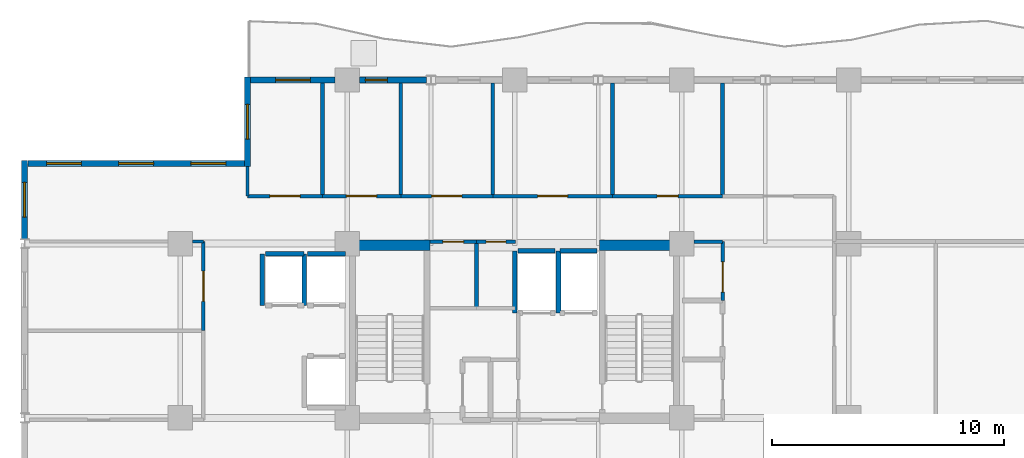
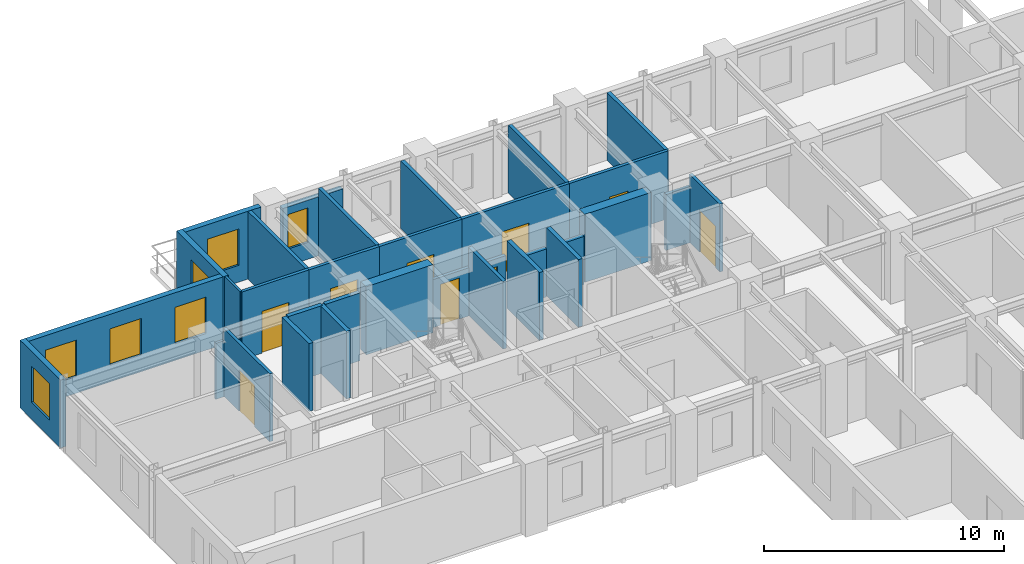
# One storey, part 8 of 13: 33 walls, 9 doors, 7 windows, 16 openings.
"""IFC4 building model written with IfcOpenShell, lengths in metres."""

from ifc_helpers import new_model, si_unit, direction, frame, frame_2d, origin, place, context, subcontext, project, spatial, rectangle, extrude, material, layer, layer_set, type_object, element, fill, save


model = new_model("IFC4")

# Units and contexts
model_context = context("Model", 3, precision=1e-05, world=origin(), true_north=direction((0.0, 1.0)))
body_context = subcontext(model_context, "Body", "Model", "MODEL_VIEW")
ifc_project = project(units=[si_unit("LENGTHUNIT", "METRE"), si_unit("AREAUNIT", "SQUARE_METRE"), si_unit("VOLUMEUNIT", "CUBIC_METRE"), si_unit("PLANEANGLEUNIT", "RADIAN"), si_unit("MASSUNIT", "GRAM", prefix="KILO")], contexts=[model_context])

# Site, building, storey
site_placement = place(None, origin())
site = spatial("IfcSite", under=ifc_project, at=site_placement, CompositionType="ELEMENT")
building_placement = place(site_placement, origin())
building = spatial("IfcBuilding", under=site, at=building_placement, Name="Kaliganga Portal Commons", CompositionType="ELEMENT")
storey_placement = place(building_placement, frame((0.0, 0.0, 166.10009765625)))
storey = spatial("IfcBuildingStorey", under=building, at=storey_placement, Name="L42", CompositionType="ELEMENT", Elevation=166.10009765625)

# Walls
ifc_material_1 = material(Name="Concrete C60/75", Category="concrete")
ifc_layer_1 = layer(ifc_material_1, 0.449951171875)
ifc_layer_set_1 = layer_set([ifc_layer_1], Name="Concrete C60/75")
wall_type_1 = type_object("IfcWallType", Name="WL-CORE-450", PredefinedType="SHEAR", material=ifc_layer_set_1)
for number, where, z_axis, x_axis, name in (
    (1, (14.75, 36.074951171875, 0.0), (0.0, 0.0, 1.0), (1.0, 0.0, 0.0), "Core A N-West Shear Wall L42"),
    (2, (25.25, 36.074951171875, 0.0), (0.0, 0.0, 1.0), (1.0, 0.0, 0.0), "Core A N-East Shear Wall L42"),
):
    element("IfcWall", number, at=place(storey_placement, frame(where, z_axis=z_axis, x_axis=x_axis)), inside=storey, type_object=wall_type_1, Name=name, PredefinedType="SHEAR", context=body_context, shape_type="SweptSolid", body=[
        extrude(rectangle(XDim=3.199951171875, YDim=0.449951171875, at=frame_2d((1.60009765625, 0.0))), origin(), (0.0, 0.0, 1.0), 3.4599609375),
    ])

# Wall, opening, window
ifc_material_2 = material(Name="Insulated Aluminium-Clad Spandrel Assembly", Category="aluminium")
ifc_layer_2 = layer(ifc_material_2, 0.260009765625)
ifc_layer_set_2 = layer_set([ifc_layer_2], Name="Insulated Aluminium-Clad Spandrel Assembly")
wall_type_2 = type_object("IfcWallType", Name="WL-EXT-SPAND-260", PredefinedType="STANDARD", material=ifc_layer_set_2)
wall_1_placement = place(storey_placement, frame((14.926025390625, 43.199951171875, 0.0), z_axis=(0.0, 0.0, 1.0), x_axis=(1.0, 0.0, 0.0)))
wall_1 = element("IfcWall", 3, at=wall_1_placement, inside=storey, type_object=wall_type_2, Name="Exterior Envelope Wall L42 P1-E06-S7", PredefinedType="STANDARD", context=body_context, shape_type="SweptSolid", body=[
    extrude(rectangle(XDim=2.87109375, YDim=0.260009765625, at=frame_2d((1.435546875, 0.0))), origin(), (0.0, 0.0, 1.0), 2.989990234375),
])
opening_1_placement = place(wall_1_placement, frame((0.24853515625, 0.0, 0.85009765625)))
opening_1 = element("IfcOpeningElement", 4, at=opening_1_placement, cuts=wall_1, Name="Opening W-04", PredefinedType="OPENING", context=body_context, shape_type="SweptSolid", body=[
    extrude(rectangle(XDim=0.949951171875, YDim=1.75, at=frame_2d((0.47509765625, 0.875))), frame((0.0, 0.14013671875, 0.0), z_axis=(0.0, -1.0, 0.0), x_axis=(1.0, 0.0, 0.0)), (0.0, 0.0, 1.0), 0.280029296875),
])
ifc_material_3 = material(Name="Thermally Broken Aluminium and Low-E Double Glazing", Category="aluminium")
window_type_1 = type_object("IfcWindowType", Name="WIN-NARROW-950", PartitioningType="SINGLE_PANEL", PredefinedType="WINDOW", material=ifc_material_3)
window_1_placement = place(opening_1_placement, origin())
window_1 = element("IfcWindow", 5, at=window_1_placement, inside=storey, type_object=window_type_1, Name="Facade Window L42-P1E06S7-N1", OverallHeight=1.75, OverallWidth=0.949951171875, PartitioningType="SINGLE_PANEL", PredefinedType="WINDOW", context=body_context, shape_type="SweptSolid", body=[
    extrude(rectangle(XDim=0.949951171875, YDim=1.75, at=frame_2d((0.47509765625, 0.875))), frame((0.0, 0.030029296875, 0.0), z_axis=(0.0, -1.0, 0.0), x_axis=(1.0, 0.0, 0.0)), (0.0, 0.0, 1.0), 0.06005859375),
])
fill(opening_1, window_1)

wall_2_placement = place(storey_placement, frame((10.235107421875, 43.199951171875, 0.0), z_axis=(0.0, 0.0, 1.0), x_axis=(1.0, 0.0, 0.0)))
wall_2 = element("IfcWall", 6, at=wall_2_placement, inside=storey, type_object=wall_type_2, Name="Exterior Envelope Wall L42 P1-E06-S8", PredefinedType="STANDARD", context=body_context, shape_type="SweptSolid", body=[
    extrude(rectangle(XDim=3.638916015625, YDim=0.260009765625, at=frame_2d((1.8193359375, 0.0))), origin(), (0.0, 0.0, 1.0), 3.43994140625),
])
opening_2_placement = place(wall_2_placement, frame((1.069580078125, 0.0, 0.85009765625)))
opening_2 = element("IfcOpeningElement", 7, at=opening_2_placement, cuts=wall_2, Name="Opening W-02", PredefinedType="OPENING", context=body_context, shape_type="SweptSolid", body=[
    extrude(rectangle(XDim=1.5, YDim=1.85009765625, at=frame_2d((0.75, 0.925048828125))), frame((0.0, 0.14013671875, 0.0), z_axis=(0.0, -1.0, 0.0), x_axis=(1.0, 0.0, 0.0)), (0.0, 0.0, 1.0), 0.280029296875),
])
window_type_2 = type_object("IfcWindowType", Name="WIN-STD-1500", PartitioningType="DOUBLE_PANEL_VERTICAL", PredefinedType="WINDOW", material=ifc_material_3)
window_2_placement = place(opening_2_placement, origin())
window_2 = element("IfcWindow", 8, at=window_2_placement, inside=storey, type_object=window_type_2, Name="Facade Window L42-P1E06S8-00", OverallHeight=1.85009765625, OverallWidth=1.5, PartitioningType="SINGLE_PANEL", PredefinedType="WINDOW", context=body_context, shape_type="SweptSolid", body=[
    extrude(rectangle(XDim=1.5, YDim=1.85009765625, at=frame_2d((0.75, 0.925048828125))), frame((0.0, 0.030029296875, 0.0), z_axis=(0.0, -1.0, 0.0), x_axis=(1.0, 0.0, 0.0)), (0.0, 0.0, 1.0), 0.06005859375),
])
fill(opening_2, window_2)

wall_3_placement = place(storey_placement, frame((10.10009765625, 39.469970703125, 0.0), z_axis=(0.0, 0.0, 1.0), x_axis=(0.0, 1.0, 0.0)))
wall_3 = element("IfcWall", 9, at=wall_3_placement, inside=storey, type_object=wall_type_2, Name="Exterior Envelope Wall L42 P1-E07-S1", PredefinedType="STANDARD", context=body_context, shape_type="SweptSolid", body=[
    extrude(rectangle(XDim=3.860107421875, YDim=0.260009765625, at=frame_2d((1.93017578125, 0.0))), origin(), (0.0, 0.0, 1.0), 3.43994140625),
])
opening_3_placement = place(wall_3_placement, frame((1.179931640625, 0.0, 0.85009765625)))
opening_3 = element("IfcOpeningElement", 10, at=opening_3_placement, cuts=wall_3, Name="Opening W-02", PredefinedType="OPENING", context=body_context, shape_type="SweptSolid", body=[
    extrude(rectangle(XDim=1.5, YDim=1.85009765625, at=frame_2d((0.75, 0.925048828125))), frame((0.0, 0.14013671875, 0.0), z_axis=(0.0, -1.0, 0.0), x_axis=(1.0, 0.0, 0.0)), (0.0, 0.0, 1.0), 0.280029296875),
])
window_3_placement = place(opening_3_placement, origin())
window_3 = element("IfcWindow", 11, at=window_3_placement, inside=storey, type_object=window_type_2, Name="Facade Window L42-P1E07S1-00", OverallHeight=1.85009765625, OverallWidth=1.5, PartitioningType="SINGLE_PANEL", PredefinedType="WINDOW", context=body_context, shape_type="SweptSolid", body=[
    extrude(rectangle(XDim=1.5, YDim=1.85009765625, at=frame_2d((0.75, 0.925048828125))), frame((0.0, 0.030029296875, 0.0), z_axis=(0.0, -1.0, 0.0), x_axis=(1.0, 0.0, 0.0)), (0.0, 0.0, 1.0), 0.06005859375),
])
fill(opening_3, window_3)

# Wall, openings, windows
wall_4_placement = place(storey_placement, frame((0.635009765625, 39.60009765625, 0.0), z_axis=(0.0, 0.0, 1.0), x_axis=(1.0, 0.0, 0.0)))
wall_4 = element("IfcWall", 12, at=wall_4_placement, inside=storey, type_object=wall_type_2, Name="Exterior Envelope Wall L42 P1-E08-S1", PredefinedType="STANDARD", context=body_context, shape_type="SweptSolid", body=[
    extrude(rectangle(XDim=9.330078125, YDim=0.260009765625, at=frame_2d((4.6650390625, 0.0))), origin(), (0.0, 0.0, 1.0), 3.43994140625),
])
opening_4_placement = place(wall_4_placement, frame((0.804931640625, 0.0, 0.85009765625)))
opening_4 = element("IfcOpeningElement", 13, at=opening_4_placement, cuts=wall_4, Name="Opening W-02", PredefinedType="OPENING", context=body_context, shape_type="SweptSolid", body=[
    extrude(rectangle(XDim=1.5, YDim=1.85009765625, at=frame_2d((0.75, 0.925048828125))), frame((0.0, 0.14013671875, 0.0), z_axis=(0.0, -1.0, 0.0), x_axis=(1.0, 0.0, 0.0)), (0.0, 0.0, 1.0), 0.280029296875),
])
opening_5_placement = place(wall_4_placement, frame((3.9150390625, 0.0, 0.85009765625)))
opening_5 = element("IfcOpeningElement", 14, at=opening_5_placement, cuts=wall_4, Name="Opening W-02", PredefinedType="OPENING", context=body_context, shape_type="SweptSolid", body=[
    extrude(rectangle(XDim=1.5, YDim=1.85009765625, at=frame_2d((0.75, 0.925048828125))), frame((0.0, 0.14013671875, 0.0), z_axis=(0.0, -1.0, 0.0), x_axis=(1.0, 0.0, 0.0)), (0.0, 0.0, 1.0), 0.280029296875),
])
opening_6_placement = place(wall_4_placement, frame((7.02490234375, 0.0, 0.85009765625)))
opening_6 = element("IfcOpeningElement", 15, at=opening_6_placement, cuts=wall_4, Name="Opening W-02", PredefinedType="OPENING", context=body_context, shape_type="SweptSolid", body=[
    extrude(rectangle(XDim=1.5, YDim=1.85009765625, at=frame_2d((0.75, 0.925048828125))), frame((0.0, 0.14013671875, 0.0), z_axis=(0.0, -1.0, 0.0), x_axis=(1.0, 0.0, 0.0)), (0.0, 0.0, 1.0), 0.280029296875),
])
window_4_placement = place(opening_4_placement, origin())
window_4 = element("IfcWindow", 16, at=window_4_placement, inside=storey, type_object=window_type_2, Name="Facade Window L42-P1E08S1-00", OverallHeight=1.85009765625, OverallWidth=1.5, PartitioningType="SINGLE_PANEL", PredefinedType="WINDOW", context=body_context, shape_type="SweptSolid", body=[
    extrude(rectangle(XDim=1.5, YDim=1.85009765625, at=frame_2d((0.75, 0.925048828125))), frame((0.0, 0.030029296875, 0.0), z_axis=(0.0, -1.0, 0.0), x_axis=(1.0, 0.0, 0.0)), (0.0, 0.0, 1.0), 0.06005859375),
])
fill(opening_4, window_4)
window_5_placement = place(opening_5_placement, origin())
window_5 = element("IfcWindow", 17, at=window_5_placement, inside=storey, type_object=window_type_2, Name="Facade Window L42-P1E08S1-01", OverallHeight=1.85009765625, OverallWidth=1.5, PartitioningType="SINGLE_PANEL", PredefinedType="WINDOW", context=body_context, shape_type="SweptSolid", body=[
    extrude(rectangle(XDim=1.5, YDim=1.85009765625, at=frame_2d((0.75, 0.925048828125))), frame((0.0, 0.030029296875, 0.0), z_axis=(0.0, -1.0, 0.0), x_axis=(1.0, 0.0, 0.0)), (0.0, 0.0, 1.0), 0.06005859375),
])
fill(opening_5, window_5)
window_6_placement = place(opening_6_placement, origin())
window_6 = element("IfcWindow", 18, at=window_6_placement, inside=storey, type_object=window_type_2, Name="Facade Window L42-P1E08S1-02", OverallHeight=1.85009765625, OverallWidth=1.5, PartitioningType="SINGLE_PANEL", PredefinedType="WINDOW", context=body_context, shape_type="SweptSolid", body=[
    extrude(rectangle(XDim=1.5, YDim=1.85009765625, at=frame_2d((0.75, 0.925048828125))), frame((0.0, 0.030029296875, 0.0), z_axis=(0.0, -1.0, 0.0), x_axis=(1.0, 0.0, 0.0)), (0.0, 0.0, 1.0), 0.06005859375),
])
fill(opening_6, window_6)

# Wall, opening, window
wall_5_placement = place(storey_placement, frame((0.5, 36.35791015625, 0.0), z_axis=(0.0, 0.0, 1.0), x_axis=(0.0, 1.0, 0.0)))
wall_5 = element("IfcWall", 19, at=wall_5_placement, inside=storey, type_object=wall_type_2, Name="Exterior Envelope Wall L42 P1-E09-S1", PredefinedType="STANDARD", context=body_context, shape_type="SweptSolid", body=[
    extrude(rectangle(XDim=3.3720703125, YDim=0.260009765625, at=frame_2d((1.68603515625, 0.0))), origin(), (0.0, 0.0, 1.0), 3.43994140625),
])
opening_7_placement = place(wall_5_placement, frame((0.93603515625, 0.0, 0.85009765625)))
opening_7 = element("IfcOpeningElement", 20, at=opening_7_placement, cuts=wall_5, Name="Opening W-02", PredefinedType="OPENING", context=body_context, shape_type="SweptSolid", body=[
    extrude(rectangle(XDim=1.5, YDim=1.85009765625, at=frame_2d((0.75, 0.925048828125))), frame((0.0, 0.14013671875, 0.0), z_axis=(0.0, -1.0, 0.0), x_axis=(1.0, 0.0, 0.0)), (0.0, 0.0, 1.0), 0.280029296875),
])
window_7_placement = place(opening_7_placement, origin())
window_7 = element("IfcWindow", 21, at=window_7_placement, inside=storey, type_object=window_type_2, Name="Facade Window L42-P1E09S1-00", OverallHeight=1.85009765625, OverallWidth=1.5, PartitioningType="SINGLE_PANEL", PredefinedType="WINDOW", context=body_context, shape_type="SweptSolid", body=[
    extrude(rectangle(XDim=1.5, YDim=1.85009765625, at=frame_2d((0.75, 0.925048828125))), frame((0.0, 0.030029296875, 0.0), z_axis=(0.0, -1.0, 0.0), x_axis=(1.0, 0.0, 0.0)), (0.0, 0.0, 1.0), 0.06005859375),
])
fill(opening_7, window_7)

# Wall, opening, door
ifc_material_4 = material(Name="Fire-Rated Gypsum Board on Steel Stud", Category="steel")
ifc_layer_3 = layer(ifc_material_4, 0.14990234375)
ifc_layer_set_3 = layer_set([ifc_layer_3], Name="Fire-Rated Gypsum Board on Steel Stud")
wall_type_3 = type_object("IfcWallType", Name="WL-PART-CORR-150", PredefinedType="PARTITIONING", material=ifc_layer_set_3)
wall_6_placement = place(storey_placement, frame((20.659912109375, 38.199951171875, 0.0), z_axis=(0.0, 0.0, 1.0), x_axis=(1.0, 0.0, 0.0)))
wall_6 = element("IfcWall", 22, at=wall_6_placement, inside=storey, type_object=wall_type_3, Name="Interior Partition L42-019", PredefinedType="PARTITIONING", context=body_context, shape_type="SweptSolid", body=[
    extrude(rectangle(XDim=5.16015625, YDim=0.14990234375, at=frame_2d((2.580078125, 0.0))), origin(), (0.0, 0.0, 1.0), 3.43994140625),
])
opening_8_placement = place(wall_6_placement, frame((1.929931640625, 0.0, 0.0)))
opening_8 = element("IfcOpeningElement", 23, at=opening_8_placement, cuts=wall_6, Name="Opening RD-03", PredefinedType="OPENING", context=body_context, shape_type="SweptSolid", body=[
    extrude(rectangle(XDim=1.300048828125, YDim=2.1201171875, at=frame_2d((0.64990234375, 1.06005859375))), frame((0.0, 0.0849609375, 0.0), z_axis=(0.0, -1.0, 0.0), x_axis=(1.0, 0.0, 0.0)), (0.0, 0.0, 1.0), 0.169921875),
])
ifc_material_5 = material(Name="Glazed Timber Seminar Vision Door", Category="wood")
door_type_1 = type_object("IfcDoorType", Name="DR-STUDY-1300", OperationType="DOUBLE_DOOR_SINGLE_SWING", PredefinedType="DOOR", material=ifc_material_5)
door_1_placement = place(opening_8_placement, origin())
door_1 = element("IfcDoor", 24, at=door_1_placement, inside=storey, type_object=door_type_1, Name="Interior Door L42-AN04", OperationType="DOUBLE_DOOR_SINGLE_SWING", OverallHeight=2.1201171875, OverallWidth=1.300048828125, PredefinedType="DOOR", context=body_context, shape_type="SweptSolid", body=[
    extrude(rectangle(XDim=1.300048828125, YDim=2.1201171875, at=frame_2d((0.64990234375, 1.06005859375))), frame((0.0, 0.02490234375, 0.0), z_axis=(0.0, -1.0, 0.0), x_axis=(1.0, 0.0, 0.0)), (0.0, 0.0, 1.0), 0.050048828125),
])
fill(opening_8, door_1)

wall_7_placement = place(storey_placement, frame((25.820068359375, 38.199951171875, 0.0), z_axis=(0.0, 0.0, 1.0), x_axis=(1.0, 0.0, 0.0)))
wall_7 = element("IfcWall", 25, at=wall_7_placement, inside=storey, type_object=wall_type_3, Name="Interior Partition L42-023", PredefinedType="PARTITIONING", context=body_context, shape_type="SweptSolid", body=[
    extrude(rectangle(XDim=4.739990234375, YDim=0.14990234375, at=frame_2d((2.3701171875, 0.0))), origin(), (0.0, 0.0, 1.0), 3.43994140625),
])
opening_9_placement = place(wall_7_placement, frame((1.919921875, 0.0, 0.0)))
opening_9 = element("IfcOpeningElement", 26, at=opening_9_placement, cuts=wall_7, Name="Opening RD-01", PredefinedType="OPENING", context=body_context, shape_type="SweptSolid", body=[
    extrude(rectangle(XDim=0.89990234375, YDim=2.080078125, at=frame_2d((0.449951171875, 1.0400390625))), frame((0.0, 0.0849609375, 0.0), z_axis=(0.0, -1.0, 0.0), x_axis=(1.0, 0.0, 0.0)), (0.0, 0.0, 1.0), 0.169921875),
])
ifc_material_6 = material(Name="Engineered Timber Flush Door", Category="wood")
door_type_2 = type_object("IfcDoorType", Name="DR-ROOM-900", OperationType="NOTDEFINED", PredefinedType="DOOR", material=ifc_material_6)
door_2_placement = place(opening_9_placement, origin())
door_2 = element("IfcDoor", 27, at=door_2_placement, inside=storey, type_object=door_type_2, Name="Interior Door L42-AN05", OperationType="SINGLE_SWING_RIGHT", OverallHeight=2.080078125, OverallWidth=0.89990234375, PredefinedType="DOOR", context=body_context, shape_type="SweptSolid", body=[
    extrude(rectangle(XDim=0.89990234375, YDim=2.080078125, at=frame_2d((0.449951171875, 1.0400390625))), frame((0.0, 0.02490234375, 0.0), z_axis=(0.0, -1.0, 0.0), x_axis=(1.0, 0.0, 0.0)), (0.0, 0.0, 1.0), 0.050048828125),
])
fill(opening_9, door_2)

wall_8_placement = place(storey_placement, frame((16.699951171875, 38.199951171875, 0.0), z_axis=(0.0, 0.0, 1.0), x_axis=(1.0, 0.0, 0.0)))
wall_8 = element("IfcWall", 28, at=wall_8_placement, inside=storey, type_object=wall_type_3, Name="Interior Partition L42-029", PredefinedType="PARTITIONING", context=body_context, shape_type="SweptSolid", body=[
    extrude(rectangle(XDim=3.9599609375, YDim=0.14990234375, at=frame_2d((1.97998046875, 0.0))), origin(), (0.0, 0.0, 1.0), 3.43994140625),
])
opening_10_placement = place(wall_8_placement, frame((1.330078125, 0.0, 0.0)))
opening_10 = element("IfcOpeningElement", 29, at=opening_10_placement, cuts=wall_8, Name="Opening RD-03", PredefinedType="OPENING", context=body_context, shape_type="SweptSolid", body=[
    extrude(rectangle(XDim=1.300048828125, YDim=2.1201171875, at=frame_2d((0.64990234375, 1.06005859375))), frame((0.0, 0.0849609375, 0.0), z_axis=(0.0, -1.0, 0.0), x_axis=(1.0, 0.0, 0.0)), (0.0, 0.0, 1.0), 0.169921875),
])
door_3_placement = place(opening_10_placement, origin())
door_3 = element("IfcDoor", 30, at=door_3_placement, inside=storey, type_object=door_type_1, Name="Interior Door L42-AN03", OperationType="DOUBLE_DOOR_SINGLE_SWING", OverallHeight=2.1201171875, OverallWidth=1.300048828125, PredefinedType="DOOR", context=body_context, shape_type="SweptSolid", body=[
    extrude(rectangle(XDim=1.300048828125, YDim=2.1201171875, at=frame_2d((0.64990234375, 1.06005859375))), frame((0.0, 0.02490234375, 0.0), z_axis=(0.0, -1.0, 0.0), x_axis=(1.0, 0.0, 0.0)), (0.0, 0.0, 1.0), 0.050048828125),
])
fill(opening_10, door_3)

wall_9_placement = place(storey_placement, frame((8.199951171875, 32.39990234375, 0.0), z_axis=(0.0, 0.0, 1.0), x_axis=(0.0, 1.0, 0.0)))
wall_9 = element("IfcWall", 31, at=wall_9_placement, inside=storey, type_object=wall_type_3, Name="Interior Partition L42-032", PredefinedType="PARTITIONING", context=body_context, shape_type="SweptSolid", body=[
    extrude(rectangle(XDim=3.840087890625, YDim=0.14990234375, at=frame_2d((1.919921875, 0.0))), origin(), (0.0, 0.0, 1.0), 3.43994140625),
])
opening_11_placement = place(wall_9_placement, frame((1.27001953125, 0.0, 0.0)))
opening_11 = element("IfcOpeningElement", 32, at=opening_11_placement, cuts=wall_9, Name="Opening RD-03", PredefinedType="OPENING", context=body_context, shape_type="SweptSolid", body=[
    extrude(rectangle(XDim=1.300048828125, YDim=2.1201171875, at=frame_2d((0.64990234375, 1.06005859375))), frame((0.0, 0.0849609375, 0.0), z_axis=(0.0, -1.0, 0.0), x_axis=(1.0, 0.0, 0.0)), (0.0, 0.0, 1.0), 0.169921875),
])
door_4_placement = place(opening_11_placement, origin())
door_4 = element("IfcDoor", 33, at=door_4_placement, inside=storey, type_object=door_type_1, Name="Interior Door L42-AW02", OperationType="DOUBLE_DOOR_SINGLE_SWING", OverallHeight=2.1201171875, OverallWidth=1.300048828125, PredefinedType="DOOR", context=body_context, shape_type="SweptSolid", body=[
    extrude(rectangle(XDim=1.300048828125, YDim=2.1201171875, at=frame_2d((0.64990234375, 1.06005859375))), frame((0.0, 0.02490234375, 0.0), z_axis=(0.0, -1.0, 0.0), x_axis=(1.0, 0.0, 0.0)), (0.0, 0.0, 1.0), 0.050048828125),
])
fill(opening_11, door_4)

wall_10_placement = place(storey_placement, frame((13.320068359375, 38.199951171875, 0.0), z_axis=(0.0, 0.0, 1.0), x_axis=(1.0, 0.0, 0.0)))
wall_10 = element("IfcWall", 34, at=wall_10_placement, inside=storey, type_object=wall_type_3, Name="Interior Partition L42-035", PredefinedType="PARTITIONING", context=body_context, shape_type="SweptSolid", body=[
    extrude(rectangle(XDim=3.3798828125, YDim=0.14990234375, at=frame_2d((1.68994140625, 0.0))), origin(), (0.0, 0.0, 1.0), 3.43994140625),
])
opening_12_placement = place(wall_10_placement, frame((1.0400390625, 0.0, 0.0)))
opening_12 = element("IfcOpeningElement", 35, at=opening_12_placement, cuts=wall_10, Name="Opening RD-03", PredefinedType="OPENING", context=body_context, shape_type="SweptSolid", body=[
    extrude(rectangle(XDim=1.300048828125, YDim=2.1201171875, at=frame_2d((0.64990234375, 1.06005859375))), frame((0.0, 0.0849609375, 0.0), z_axis=(0.0, -1.0, 0.0), x_axis=(1.0, 0.0, 0.0)), (0.0, 0.0, 1.0), 0.169921875),
])
door_5_placement = place(opening_12_placement, origin())
door_5 = element("IfcDoor", 36, at=door_5_placement, inside=storey, type_object=door_type_1, Name="Interior Door L42-AN02", OperationType="DOUBLE_DOOR_SINGLE_SWING", OverallHeight=2.1201171875, OverallWidth=1.300048828125, PredefinedType="DOOR", context=body_context, shape_type="SweptSolid", body=[
    extrude(rectangle(XDim=1.300048828125, YDim=2.1201171875, at=frame_2d((0.64990234375, 1.06005859375))), frame((0.0, 0.02490234375, 0.0), z_axis=(0.0, -1.0, 0.0), x_axis=(1.0, 0.0, 0.0)), (0.0, 0.0, 1.0), 0.050048828125),
])
fill(opening_12, door_5)

wall_11_placement = place(storey_placement, frame((10.10009765625, 38.199951171875, 0.0), z_axis=(0.0, 0.0, 1.0), x_axis=(1.0, 0.0, 0.0)))
wall_11 = element("IfcWall", 37, at=wall_11_placement, inside=storey, type_object=wall_type_3, Name="Interior Partition L42-036", PredefinedType="PARTITIONING", context=body_context, shape_type="SweptSolid", body=[
    extrude(rectangle(XDim=3.219970703125, YDim=0.14990234375, at=frame_2d((1.60986328125, 0.0))), origin(), (0.0, 0.0, 1.0), 3.43994140625),
])
opening_13_placement = place(wall_11_placement, frame((0.9599609375, 0.0, 0.0)))
opening_13 = element("IfcOpeningElement", 38, at=opening_13_placement, cuts=wall_11, Name="Opening RD-03", PredefinedType="OPENING", context=body_context, shape_type="SweptSolid", body=[
    extrude(rectangle(XDim=1.300048828125, YDim=2.1201171875, at=frame_2d((0.64990234375, 1.06005859375))), frame((0.0, 0.0849609375, 0.0), z_axis=(0.0, -1.0, 0.0), x_axis=(1.0, 0.0, 0.0)), (0.0, 0.0, 1.0), 0.169921875),
])
door_6_placement = place(opening_13_placement, origin())
door_6 = element("IfcDoor", 39, at=door_6_placement, inside=storey, type_object=door_type_1, Name="Interior Door L42-AN01", OperationType="DOUBLE_DOOR_SINGLE_SWING", OverallHeight=2.1201171875, OverallWidth=1.300048828125, PredefinedType="DOOR", context=body_context, shape_type="SweptSolid", body=[
    extrude(rectangle(XDim=1.300048828125, YDim=2.1201171875, at=frame_2d((0.64990234375, 1.06005859375))), frame((0.0, 0.02490234375, 0.0), z_axis=(0.0, -1.0, 0.0), x_axis=(1.0, 0.0, 0.0)), (0.0, 0.0, 1.0), 0.050048828125),
])
fill(opening_13, door_6)

wall_12_placement = place(storey_placement, frame((30.56005859375, 33.699951171875, 0.0), z_axis=(0.0, 0.0, 1.0), x_axis=(0.0, 1.0, 0.0)))
wall_12 = element("IfcWall", 40, at=wall_12_placement, inside=storey, type_object=wall_type_3, Name="Interior Partition L42-046", PredefinedType="PARTITIONING", context=body_context, shape_type="SweptSolid", body=[
    extrude(rectangle(XDim=2.5400390625, YDim=0.14990234375, at=frame_2d((1.27001953125, 0.0))), origin(), (0.0, 0.0, 1.0), 3.43994140625),
])
opening_14_placement = place(wall_12_placement, frame((0.365966796875, 0.0, 0.0)))
opening_14 = element("IfcOpeningElement", 41, at=opening_14_placement, cuts=wall_12, Name="Opening RD-03", PredefinedType="OPENING", context=body_context, shape_type="SweptSolid", body=[
    extrude(rectangle(XDim=1.300048828125, YDim=2.1201171875, at=frame_2d((0.64990234375, 1.06005859375))), frame((0.0, 0.0849609375, 0.0), z_axis=(0.0, -1.0, 0.0), x_axis=(1.0, 0.0, 0.0)), (0.0, 0.0, 1.0), 0.169921875),
])
door_7_placement = place(opening_14_placement, origin())
door_7 = element("IfcDoor", 42, at=door_7_placement, inside=storey, type_object=door_type_1, Name="Interior Door L42-CSRV_A2", OperationType="DOUBLE_DOOR_SINGLE_SWING", OverallHeight=2.1201171875, OverallWidth=1.300048828125, PredefinedType="DOOR", context=body_context, shape_type="SweptSolid", body=[
    extrude(rectangle(XDim=1.300048828125, YDim=2.1201171875, at=frame_2d((0.64990234375, 1.06005859375))), frame((0.0, 0.02490234375, 0.0), z_axis=(0.0, -1.0, 0.0), x_axis=(1.0, 0.0, 0.0)), (0.0, 0.0, 1.0), 0.050048828125),
])
fill(opening_14, door_7)

wall_13_placement = place(storey_placement, frame((17.9599609375, 36.239990234375, 0.0), z_axis=(0.0, 0.0, 1.0), x_axis=(1.0, 0.0, 0.0)))
wall_13 = element("IfcWall", 43, at=wall_13_placement, inside=storey, type_object=wall_type_3, Name="Interior Partition L42-048", PredefinedType="PARTITIONING", context=body_context, shape_type="SweptSolid", body=[
    extrude(rectangle(XDim=2.0, YDim=0.14990234375, at=frame_2d((1.0, 0.0))), origin(), (0.0, 0.0, 1.0), 2.43994140625),
])
opening_15_placement = place(wall_13_placement, frame((0.550048828125, 0.0, 0.0)))
opening_15 = element("IfcOpeningElement", 44, at=opening_15_placement, cuts=wall_13, Name="Opening RD-01", PredefinedType="OPENING", context=body_context, shape_type="SweptSolid", body=[
    extrude(rectangle(XDim=0.89990234375, YDim=2.080078125, at=frame_2d((0.449951171875, 1.0400390625))), frame((0.0, 0.0849609375, 0.0), z_axis=(0.0, -1.0, 0.0), x_axis=(1.0, 0.0, 0.0)), (0.0, 0.0, 1.0), 0.169921875),
])
door_8_placement = place(opening_15_placement, origin())
door_8 = element("IfcDoor", 45, at=door_8_placement, inside=storey, type_object=door_type_2, Name="Interior Door L42-CREC_A1", OperationType="SINGLE_SWING_RIGHT", OverallHeight=2.080078125, OverallWidth=0.89990234375, PredefinedType="DOOR", context=body_context, shape_type="SweptSolid", body=[
    extrude(rectangle(XDim=0.89990234375, YDim=2.080078125, at=frame_2d((0.449951171875, 1.0400390625))), frame((0.0, 0.02490234375, 0.0), z_axis=(0.0, -1.0, 0.0), x_axis=(1.0, 0.0, 0.0)), (0.0, 0.0, 1.0), 0.050048828125),
])
fill(opening_15, door_8)

# Wall
wall_14_placement = place(storey_placement, frame((29.324951171875, 36.239990234375, 0.0), z_axis=(0.0, 0.0, 1.0), x_axis=(1.0, 0.0, 0.0)))
element("IfcWall", 46, at=wall_14_placement, inside=storey, type_object=wall_type_3, Name="Interior Partition L42-051", PredefinedType="PARTITIONING", context=body_context, shape_type="SweptSolid", body=[
    extrude(rectangle(XDim=1.235107421875, YDim=0.14990234375, at=frame_2d((0.61767578125, 0.0))), origin(), (0.0, 0.0, 1.0), 2.83984375),
])

# Wall, opening, door
wall_15_placement = place(storey_placement, frame((19.9599609375, 36.239990234375, 0.0), z_axis=(0.0, 0.0, 1.0), x_axis=(1.0, 0.0, 0.0)))
wall_15 = element("IfcWall", 47, at=wall_15_placement, inside=storey, type_object=wall_type_3, Name="Interior Partition L42-053", PredefinedType="PARTITIONING", context=body_context, shape_type="SweptSolid", body=[
    extrude(rectangle(XDim=1.679931640625, YDim=0.14990234375, at=frame_2d((0.83984375, 0.0))), origin(), (0.0, 0.0, 1.0), 2.43994140625),
])
opening_16_placement = place(wall_15_placement, frame((0.409912109375, 0.0, 0.0)))
opening_16 = element("IfcOpeningElement", 48, at=opening_16_placement, cuts=wall_15, Name="Opening WD-02", PredefinedType="OPENING", context=body_context, shape_type="SweptSolid", body=[
    extrude(rectangle(XDim=0.860107421875, YDim=2.02001953125, at=frame_2d((0.43017578125, 1.010009765625))), frame((0.0, 0.0849609375, 0.0), z_axis=(0.0, -1.0, 0.0), x_axis=(1.0, 0.0, 0.0)), (0.0, 0.0, 1.0), 0.169921875),
])
ifc_material_7 = material(Name="Fire-Rated Utility Closet Door", Category="wood")
door_type_3 = type_object("IfcDoorType", Name="DR-STORE-800", OperationType="NOTDEFINED", PredefinedType="DOOR", material=ifc_material_7)
door_9_placement = place(opening_16_placement, origin())
door_9 = element("IfcDoor", 49, at=door_9_placement, inside=storey, type_object=door_type_3, Name="Interior Door L42-CREC_A2", OperationType="SINGLE_SWING_LEFT", OverallHeight=2.02001953125, OverallWidth=0.860107421875, PredefinedType="DOOR", context=body_context, shape_type="SweptSolid", body=[
    extrude(rectangle(XDim=0.860107421875, YDim=2.02001953125, at=frame_2d((0.43017578125, 1.010009765625))), frame((0.0, 0.02490234375, 0.0), z_axis=(0.0, -1.0, 0.0), x_axis=(1.0, 0.0, 0.0)), (0.0, 0.0, 1.0), 0.050048828125),
])
fill(opening_16, door_9)

# Walls
ifc_material_8 = material(Name="Moisture-Resistant Gypsum Partition", Category="gypsum")
ifc_layer_4 = layer(ifc_material_8, 0.114990234375)
ifc_layer_set_4 = layer_set([ifc_layer_4], Name="Moisture-Resistant Gypsum Partition")
wall_type_4 = type_object("IfcWallType", Name="WL-PART-ROOM-115", PredefinedType="PARTITIONING", material=ifc_layer_set_4)
wall_16_placement = place(storey_placement, frame((7.72509765625, 36.239990234375, 0.0), z_axis=(0.0, 0.0, 1.0), x_axis=(1.0, 0.0, 0.0)))
element("IfcWall", 50, at=wall_16_placement, inside=storey, type_object=wall_type_4, Name="Interior Partition L42-064", PredefinedType="PARTITIONING", context=body_context, shape_type="SweptSolid", body=[
    extrude(rectangle(XDim=0.474853515625, YDim=0.114990234375, at=frame_2d((0.2373046875, 0.0))), origin(), (0.0, 0.0, 1.0), 2.83984375),
])
wall_17_placement = place(storey_placement, frame((10.10009765625, 38.199951171875, 0.0), z_axis=(0.0, 0.0, 1.0), x_axis=(0.0, 1.0, 0.0)))
element("IfcWall", 51, at=wall_17_placement, inside=storey, type_object=wall_type_4, Name="Interior Partition L42-071", PredefinedType="PARTITIONING", context=body_context, shape_type="SweptSolid", body=[
    extrude(rectangle(XDim=1.26806640625, YDim=0.114990234375, at=frame_2d((0.634033203125, 0.0))), origin(), (0.0, 0.0, 1.0), 3.43994140625),
])
ifc_material_9 = material(Name="Twin-Stud Acoustic Gypsum Partition", Category="gypsum")
ifc_layer_5 = layer(ifc_material_9, 0.1650390625)
ifc_layer_set_5 = layer_set([ifc_layer_5], Name="Twin-Stud Acoustic Gypsum Partition")
wall_type_5 = type_object("IfcWallType", Name="WL-PART-UNIT-165", PredefinedType="PARTITIONING", material=ifc_layer_set_5)
for number, where, z_axis, x_axis, name in (
    (52, (13.320068359375, 38.199951171875, 0.0), (0.0, 0.0, 1.0), (0.0, 1.0, 0.0), "Interior Partition L42-072"),
    (53, (16.699951171875, 38.199951171875, 0.0), (0.0, 0.0, 1.0), (0.0, 1.0, 0.0), "Interior Partition L42-073"),
    (54, (20.659912109375, 38.199951171875, 0.0), (0.0, 0.0, 1.0), (0.0, 1.0, 0.0), "Interior Partition L42-075"),
    (55, (25.820068359375, 38.199951171875, 0.0), (0.0, 0.0, 1.0), (0.0, 1.0, 0.0), "Interior Partition L42-076"),
    (56, (30.56005859375, 38.199951171875, 0.0), (0.0, 0.0, 1.0), (0.0, 1.0, 0.0), "Interior Partition L42-078"),
):
    element("IfcWall", number, at=place(storey_placement, frame(where, z_axis=z_axis, x_axis=x_axis)), inside=storey, type_object=wall_type_5, Name=name, PredefinedType="PARTITIONING", context=body_context, shape_type="SweptSolid", body=[
        extrude(rectangle(XDim=4.8681640625, YDim=0.1650390625, at=frame_2d((2.43408203125, 0.0))), origin(), (0.0, 0.0, 1.0), 3.43994140625),
    ])
wall_18_placement = place(storey_placement, frame((19.9599609375, 33.360107421875, 0.0), z_axis=(0.0, 0.0, 1.0), x_axis=(0.0, 1.0, 0.0)))
element("IfcWall", 57, at=wall_18_placement, inside=storey, type_object=wall_type_5, Name="Interior Partition L42-086", PredefinedType="PARTITIONING", context=body_context, shape_type="SweptSolid", body=[
    extrude(rectangle(XDim=2.8798828125, YDim=0.1650390625, at=frame_2d((1.43994140625, 0.0))), origin(), (0.0, 0.0, 1.0), 3.43994140625),
])
ifc_material_10 = material(Name="Fire-Rated Shaftwall Masonry Assembly", Category="masonry")
ifc_layer_6 = layer(ifc_material_10, 0.199951171875)
ifc_layer_set_6 = layer_set([ifc_layer_6], Name="Fire-Rated Shaftwall Masonry Assembly")
wall_type_6 = type_object("IfcWallType", Name="WL-SHAFT-200", PredefinedType="PARTITIONING", material=ifc_layer_set_6)
wall_19_placement = place(storey_placement, frame((12.675048828125, 35.715087890625, 0.0), z_axis=(0.0, 0.0, 1.0), x_axis=(1.0, 0.0, 0.0)))
element("IfcWall", 58, at=wall_19_placement, inside=storey, type_object=wall_type_6, Name="Lift PL-A3 Hoistway Shaft Wall L42-N", PredefinedType="PARTITIONING", context=body_context, shape_type="SweptSolid", body=[
    extrude(rectangle(XDim=1.64990234375, YDim=0.199951171875, at=frame_2d((0.824951171875, 0.0))), origin(), (0.0, 0.0, 1.0), 3.43994140625),
])
wall_20_placement = place(storey_placement, frame((12.534912109375, 33.485107421875, 0.0), z_axis=(0.0, 0.0, 1.0), x_axis=(0.0, 1.0, 0.0)))
element("IfcWall", 59, at=wall_20_placement, inside=storey, type_object=wall_type_6, Name="Lift PL-A3 Hoistway Shaft Wall L42-W", PredefinedType="PARTITIONING", context=body_context, shape_type="SweptSolid", body=[
    extrude(rectangle(XDim=2.22998046875, YDim=0.199951171875, at=frame_2d((1.114990234375, 0.0))), origin(), (0.0, 0.0, 1.0), 3.43994140625),
])
wall_21_placement = place(storey_placement, frame((10.875, 35.715087890625, 0.0), z_axis=(0.0, 0.0, 1.0), x_axis=(1.0, 0.0, 0.0)))
element("IfcWall", 60, at=wall_21_placement, inside=storey, type_object=wall_type_6, Name="Lift PL-OBS Hoistway Shaft Wall L42-N", PredefinedType="PARTITIONING", context=body_context, shape_type="SweptSolid", body=[
    extrude(rectangle(XDim=1.64990234375, YDim=0.199951171875, at=frame_2d((0.824951171875, 0.0))), origin(), (0.0, 0.0, 1.0), 3.43994140625),
])
wall_22_placement = place(storey_placement, frame((10.735107421875, 33.485107421875, 0.0), z_axis=(0.0, 0.0, 1.0), x_axis=(0.0, 1.0, 0.0)))
element("IfcWall", 61, at=wall_22_placement, inside=storey, type_object=wall_type_6, Name="Lift PL-OBS Hoistway Shaft Wall L42-W", PredefinedType="PARTITIONING", context=body_context, shape_type="SweptSolid", body=[
    extrude(rectangle(XDim=2.22998046875, YDim=0.199951171875, at=frame_2d((1.114990234375, 0.0))), origin(), (0.0, 0.0, 1.0), 3.43994140625),
])
wall_23_placement = place(storey_placement, frame((21.75, 35.840087890625, 0.0), z_axis=(0.0, 0.0, 1.0), x_axis=(1.0, 0.0, 0.0)))
element("IfcWall", 62, at=wall_23_placement, inside=storey, type_object=wall_type_6, Name="Lift FFL-1 Hoistway Shaft Wall L42-N", PredefinedType="PARTITIONING", context=body_context, shape_type="SweptSolid", body=[
    extrude(rectangle(XDim=1.60009765625, YDim=0.199951171875, at=frame_2d((0.800048828125, 0.0))), origin(), (0.0, 0.0, 1.0), 2.43994140625),
])
for number, where, z_axis, x_axis, name in (
    (63, (21.610107421875, 33.159912109375, 0.0), (0.0, 0.0, 1.0), (0.0, 1.0, 0.0), "Lift FFL-1 Hoistway Shaft Wall L42-W"),
    (64, (23.489990234375, 33.159912109375, 0.0), (0.0, 0.0, 1.0), (0.0, 1.0, 0.0), "Lift FFL-1 Hoistway Shaft Wall L42-E"),
):
    element("IfcWall", number, at=place(storey_placement, frame(where, z_axis=z_axis, x_axis=x_axis)), inside=storey, type_object=wall_type_6, Name=name, PredefinedType="PARTITIONING", context=body_context, shape_type="SweptSolid", body=[
        extrude(rectangle(XDim=2.68017578125, YDim=0.199951171875, at=frame_2d((1.340087890625, 0.0))), origin(), (0.0, 0.0, 1.0), 3.43994140625),
    ])
wall_24_placement = place(storey_placement, frame((23.550048828125, 35.840087890625, 0.0), z_axis=(0.0, 0.0, 1.0), x_axis=(1.0, 0.0, 0.0)))
element("IfcWall", 65, at=wall_24_placement, inside=storey, type_object=wall_type_6, Name="Lift FFL-2 Hoistway Shaft Wall L42-N", PredefinedType="PARTITIONING", context=body_context, shape_type="SweptSolid", body=[
    extrude(rectangle(XDim=1.599853515625, YDim=0.199951171875, at=frame_2d((0.7998046875, 0.0))), origin(), (0.0, 0.0, 1.0), 2.43994140625),
])

save(model, "model.ifc")
